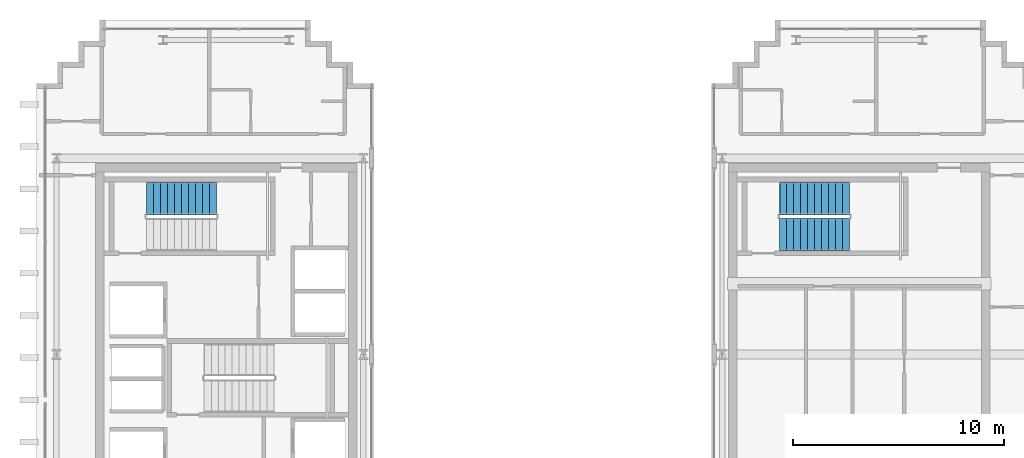
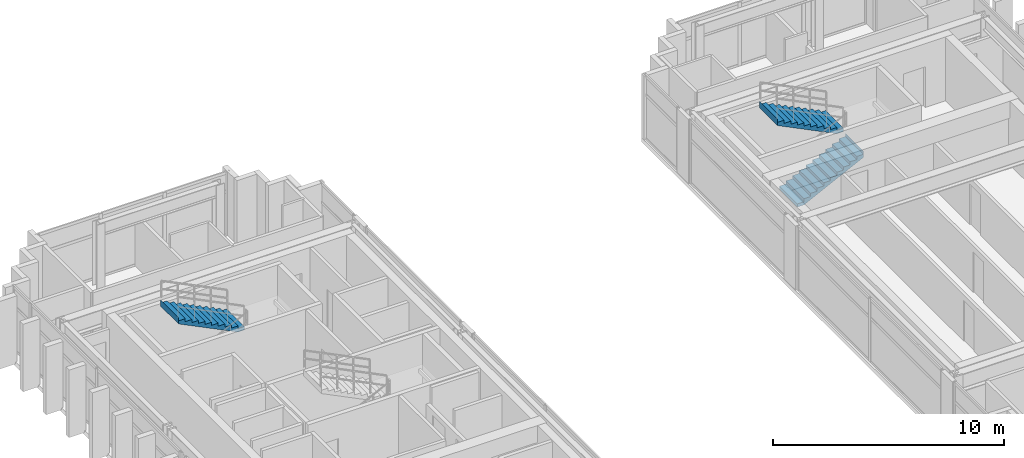
# One storey, part 23 of 25: 3 stair flights, 2 elements without a shape of their own.
"""IFC4 building model written with IfcOpenShell, lengths in metres."""

from ifc_helpers import new_model, si_unit, direction, frame, origin, place, context, subcontext, project, spatial, polyline, outline, extrude, source, transform, mapped, material, type_object, element, aggregate, save


model = new_model("IFC4")

# Units and contexts
model_context = context("Model", 3, precision=1e-05, world=origin(), true_north=direction((0.0, 1.0)))
body_context = subcontext(model_context, "Body", "Model", "MODEL_VIEW")
ifc_project = project(units=[si_unit("LENGTHUNIT", "METRE"), si_unit("AREAUNIT", "SQUARE_METRE"), si_unit("VOLUMEUNIT", "CUBIC_METRE"), si_unit("PLANEANGLEUNIT", "RADIAN"), si_unit("MASSUNIT", "GRAM", prefix="KILO")], contexts=[model_context])

# Site, building, storey
site_placement = place(None, origin())
site = spatial("IfcSite", under=ifc_project, at=site_placement, CompositionType="ELEMENT")
building_placement = place(site_placement, origin())
building = spatial("IfcBuilding", under=site, at=building_placement, Name="Ocotamira Hotel", CompositionType="ELEMENT")
storey_placement = place(building_placement, frame((0.0, 0.0, 258.0)))
storey = spatial("IfcBuildingStorey", under=building, at=storey_placement, Name="L65", CompositionType="ELEMENT", Elevation=258.0)

# Stair, stair flight
ifc_material = material(Name="Concrete C40/50", Category="concrete")
stair_type = type_object("IfcStairType", Name="ST-CORE-1560", PredefinedType="HALF_TURN_STAIR", material=ifc_material)
stair_1_placement = place(storey_placement, origin())
stair_1 = element("IfcStair", 1, at=stair_1_placement, inside=storey, type_object=stair_type, Name="L65 Exit Stair ST-2", PredefinedType="HALF_TURN_STAIR")
stair_flight_type = type_object("IfcStairFlightType", Name="STF-CORE-1560", PredefinedType="STRAIGHT", material=ifc_material)
shared_shape = source(origin(), body_context, "Body", "SweptSolid", [
    extrude(outline(polyline([(-0.00390625, 0.0), (-0.00390625, 0.16357421875), (0.330078125, 0.16357421875), (0.330078125, 0.327392578125), (0.659912109375, 0.327392578125), (0.659912109375, 0.490966796875), (0.989990234375, 0.490966796875), (0.989990234375, 0.654541015625), (1.320068359375, 0.654541015625), (1.320068359375, 0.818115234375), (1.64990234375, 0.818115234375), (1.64990234375, 0.98193359375), (1.97998046875, 0.98193359375), (1.97998046875, 1.1455078125), (2.31005859375, 1.1455078125), (2.31005859375, 1.30908203125), (2.639892578125, 1.30908203125), (2.639892578125, 1.47265625), (2.969970703125, 1.47265625), (2.969970703125, 1.636474609375), (3.300048828125, 1.636474609375), (3.300048828125, 1.800048828125), (3.303955078125, 1.800048828125), (3.303955078125, 1.468994140625), (0.33740234375, 0.0), (-0.00390625, 0.0)])), frame((0.0, 0.780029296875, 0.0), z_axis=(0.0, -1.0, 0.0), x_axis=(1.0, 0.0, 0.0)), (0.0, 0.0, 1.0), 1.56005859375),
])
stair_flight_1_placement = place(storey_placement, frame((16.530029296875, 35.550048828125, 1.800048828125), z_axis=(0.0, 0.0, 1.0), x_axis=(-1.0, 0.0, 0.0)))
stair_flight_1 = element("IfcStairFlight", 2, at=stair_flight_1_placement, type_object=stair_flight_type, Name="ST-2 flight 2", NumberOfRisers=11, NumberOfTreads=10, PredefinedType="STRAIGHT", RiserHeight=0.163636364, TreadLength=0.33, context=body_context, shape_type="MappedRepresentation", body=[
    mapped(shared_shape, transform((0.0, 0.0, 0.0), scale=1.0)),
])
aggregate(stair_1, [stair_flight_1])

# Stair, stair flights
stair_2_placement = place(storey_placement, origin())
stair_2 = element("IfcStair", 3, at=stair_2_placement, inside=storey, type_object=stair_type, Name="L65 Exit Stair ST-4", PredefinedType="HALF_TURN_STAIR")
stair_flight_2_placement = place(storey_placement, frame((43.22998046875, 33.830078125, 0.0), z_axis=(0.0, 0.0, 1.0), x_axis=(1.0, 0.0, 0.0)))
stair_flight_2 = element("IfcStairFlight", 4, at=stair_flight_2_placement, type_object=stair_flight_type, Name="ST-4 flight 1", NumberOfRisers=11, NumberOfTreads=10, PredefinedType="STRAIGHT", RiserHeight=0.163636364, TreadLength=0.33, context=body_context, shape_type="MappedRepresentation", body=[
    mapped(shared_shape, transform((0.0, 0.0, 0.0), scale=1.0)),
])
stair_flight_3_placement = place(storey_placement, frame((46.530029296875, 35.550048828125, 1.800048828125), z_axis=(0.0, 0.0, 1.0), x_axis=(-1.0, 0.0, 0.0)))
stair_flight_3 = element("IfcStairFlight", 5, at=stair_flight_3_placement, type_object=stair_flight_type, Name="ST-4 flight 2", NumberOfRisers=11, NumberOfTreads=10, PredefinedType="STRAIGHT", RiserHeight=0.163636364, TreadLength=0.33, context=body_context, shape_type="MappedRepresentation", body=[
    mapped(shared_shape, transform((0.0, 0.0, 0.0), scale=1.0)),
])
aggregate(stair_2, [stair_flight_2, stair_flight_3])

save(model, "model.ifc")
